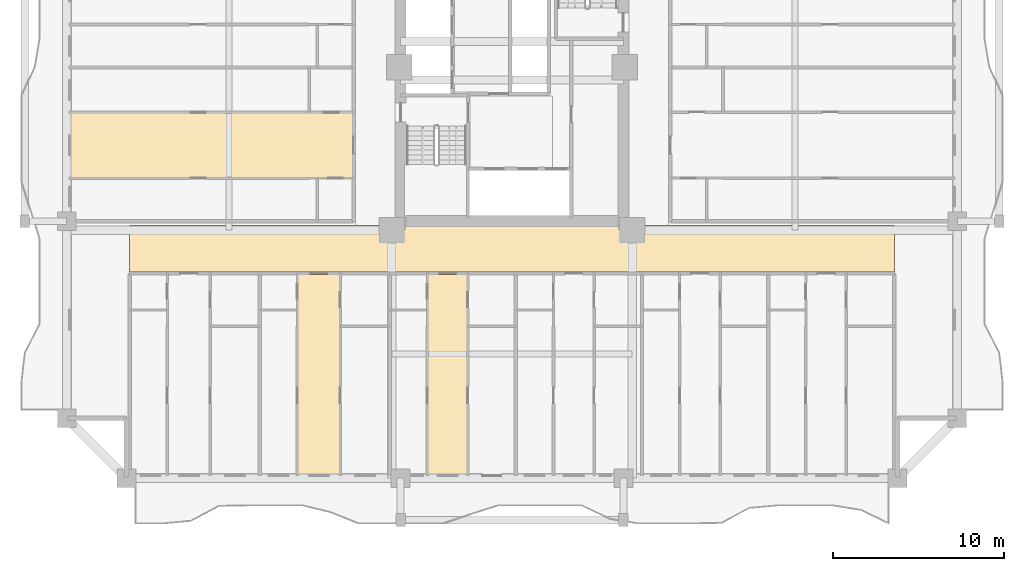
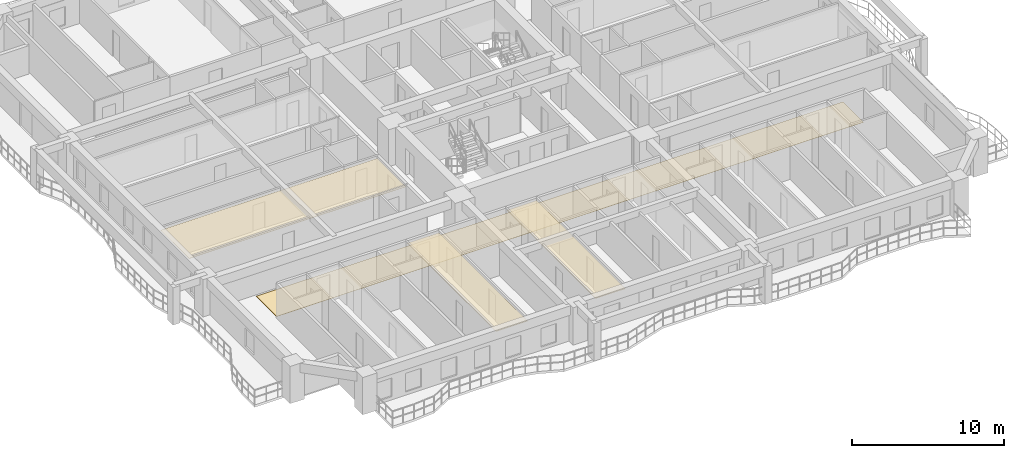
# One storey, part 13 of 17: 4 coverings.
"""IFC4 building model written with IfcOpenShell, lengths in metres."""

import ifcopenshell
import ifcopenshell.guid

model = None  # the IFC model being written
_history = None  # IfcOwnerHistory: only IFC2X3 demands one
_inside = {}  # id of a spatial element -> (the spatial element, [elements in it])
_under = {}  # id of a project, library or spatial element -> (it, [spatial elements below it])
_declared = {}  # id of a project -> (the project, [libraries it declares])
_typed = {}  # id of a type object -> (the type object, [elements of that type])
_made_of = {}  # id of a material, layer set ... -> (it, [elements and type objects made of it])


def new_model(schema):
    """Start an empty IFC model of exactly this schema.

    Asked for "IFC4X3", IfcOpenShell would pick the latest addendum, in which some entities
    have other attributes; the version numbers below select the first issue.
    IFC2X3 requires an IfcOwnerHistory on every rooted entity: one is made here for all.
    """
    global model, _history
    if schema == "IFC4X3":
        model = ifcopenshell.file(schema_version=(4, 3, 0, 0))
    else:
        model = ifcopenshell.file(schema=schema)
    _inside.clear()
    _under.clear()
    _declared.clear()
    _typed.clear()
    _made_of.clear()
    _history = None
    if model.schema == "IFC2X3":
        org = make("IfcOrganization", Name="unknown")
        user = make(
            "IfcPersonAndOrganization",
            ThePerson=make("IfcPerson", FamilyName="unknown"),
            TheOrganization=org,
        )
        app = make(
            "IfcApplication",
            ApplicationDeveloper=org,
            Version="unknown",
            ApplicationFullName="unknown",
            ApplicationIdentifier="unknown",
        )
        _history = make(
            "IfcOwnerHistory",
            OwningUser=user,
            OwningApplication=app,
            ChangeAction="ADDED",
            CreationDate=0,
        )
    return model


def make(cls, **values):
    """One entity of the class cls with the attributes given. An attribute that is None is left unset."""
    return model.create_entity(
        cls, **{name: value for name, value in values.items() if value is not None}
    )


def rooted(cls, **values):
    """An entity with a GlobalId (a new one), such as an element, a storey or a relation."""
    return make(cls, GlobalId=ifcopenshell.guid.new(), OwnerHistory=_history, **values)


def si_unit(unit_type, name, prefix=None):
    """IfcSIUnit, for example si_unit("LENGTHUNIT", "METRE", prefix="MILLI")."""
    return make("IfcSIUnit", UnitType=unit_type, Prefix=prefix, Name=name)


def assignment(units):
    """IfcUnitAssignment: the units of a project."""
    return None if units is None else make("IfcUnitAssignment", Units=units)


def point(xyz):
    """IfcCartesianPoint."""
    return None if xyz is None else make("IfcCartesianPoint", Coordinates=xyz)


def direction(xyz):
    """IfcDirection."""
    return None if xyz is None else make("IfcDirection", DirectionRatios=xyz)


def frame(location, z_axis=None, x_axis=None):
    """IfcAxis2Placement3D, a coordinate frame: its origin and axes. An axis left out is left unset."""
    return make(
        "IfcAxis2Placement3D",
        Location=point(location),
        Axis=direction(z_axis),
        RefDirection=direction(x_axis),
    )


def origin():
    """The frame at (0, 0, 0) with its axes left unset."""
    return frame((0.0, 0.0, 0.0))


def place(relative_to, where):
    """IfcLocalPlacement: puts the frame where relative to a parent placement (None: the world)."""
    return make(
        "IfcLocalPlacement", PlacementRelTo=relative_to, RelativePlacement=where
    )


def context(
    kind, dimensions, precision=None, world=None, true_north=None, identifier=None
):
    """IfcGeometricRepresentationContext, for example the 3D "Model" context."""
    return make(
        "IfcGeometricRepresentationContext",
        ContextIdentifier=identifier,
        ContextType=kind,
        CoordinateSpaceDimension=dimensions,
        Precision=precision,
        WorldCoordinateSystem=world,
        TrueNorth=true_north,
    )


def subcontext(parent, identifier, kind, view, scale=None):
    """IfcGeometricRepresentationSubContext, for example "Body" below "Model"."""
    return make(
        "IfcGeometricRepresentationSubContext",
        ContextIdentifier=identifier,
        ContextType=kind,
        ParentContext=parent,
        TargetScale=scale,
        TargetView=view,
    )


def project(units=None, contexts=None):
    """IfcProject with its units and contexts."""
    return rooted(
        "IfcProject",
        Name="project",
        RepresentationContexts=contexts,
        UnitsInContext=assignment(units),
    )


def spatial(cls, under=None, at=None, **own):
    """A site, building, storey or space (cls), placed at a placement, below another one or the project."""
    s = rooted(cls, ObjectPlacement=at, **own)
    if under is not None:
        _under.setdefault(under.id(), (under, []))[1].append(s)
    return s


def polyline(points):
    """IfcPolyline through the points."""
    return make("IfcPolyline", Points=[point(p) for p in points])


def outline(outer, holes=None, kind="AREA"):
    """IfcArbitraryClosedProfileDef: a profile drawn as a closed curve; with holes, ...WithVoids."""
    if holes is None:
        return make("IfcArbitraryClosedProfileDef", ProfileType=kind, OuterCurve=outer)
    return make(
        "IfcArbitraryProfileDefWithVoids",
        ProfileType=kind,
        OuterCurve=outer,
        InnerCurves=holes,
    )


def extrude(swept, where, along, depth):
    """IfcExtrudedAreaSolid: the profile swept, set in the frame where, extruded along a direction by depth."""
    return make(
        "IfcExtrudedAreaSolid",
        SweptArea=swept,
        Position=where,
        ExtrudedDirection=direction(along),
        Depth=depth,
    )


def shape(context_of_items, identifier, shape_type, items):
    """IfcShapeRepresentation: the items that make up one representation, for example the "Body"."""
    return make(
        "IfcShapeRepresentation",
        ContextOfItems=context_of_items,
        RepresentationIdentifier=identifier,
        RepresentationType=shape_type,
        Items=items,
    )


def material(Name=None, Category=None):
    """IfcMaterial."""
    return make("IfcMaterial", Name=Name, Category=Category)


def layer(
    of_material, thickness, ventilated=None, Name=None, Category=None, Priority=None
):
    """IfcMaterialLayer: one layer of a wall or slab, of a material (None: an air gap)."""
    return make(
        "IfcMaterialLayer",
        Material=of_material,
        LayerThickness=thickness,
        IsVentilated=ventilated,
        Name=Name,
        Category=Category,
        Priority=Priority,
    )


def layer_set(layers, Name=None):
    """IfcMaterialLayerSet."""
    return make("IfcMaterialLayerSet", MaterialLayers=layers, LayerSetName=Name)


def made_of(thing, what):
    """Note that an element or type object is made of a material, layer set ...; save() writes the relation."""
    if what is not None:
        _made_of.setdefault(what.id(), (what, []))[1].append(thing)
    return thing


def type_object(cls, material=None, **own):
    """A type object (cls), such as IfcWallType, which elements share."""
    return made_of(rooted(cls, **own), material)


def element(
    cls,
    number,
    at=None,
    inside=None,
    cuts=None,
    type_object=None,
    material=None,
    context=None,
    identifier="Body",
    shape_type=None,
    held_by="IfcProductDefinitionShape",
    body=None,
    shapes=None,
    **own,
):
    """One element of the class cls, such as IfcWall. Its Tag is "e" and its number.

    at: its placement. inside: the storey or other place that contains it. cuts: it is an
    opening in that element (IfcRelVoidsElement). A single representation is given by context,
    identifier, shape_type and body (its items); several are given by shapes. held_by: the class
    of the entity that holds the representations. save() writes the other relations.
    """
    e = rooted(cls, Tag="e%d" % number, ObjectPlacement=at, **own)
    if body is not None:
        shapes = [shape(context, identifier, shape_type, body)]
    if shapes is not None:
        e.Representation = make(held_by, Representations=shapes)
    if inside is not None:
        _inside.setdefault(inside.id(), (inside, []))[1].append(e)
    if cuts is not None:
        rooted(
            "IfcRelVoidsElement", RelatingBuildingElement=cuts, RelatedOpeningElement=e
        )
    if type_object is not None:
        _typed.setdefault(type_object.id(), (type_object, []))[1].append(e)
    return made_of(e, material)


def aggregate(whole, parts):
    """IfcRelAggregates: a whole, such as a stair, and the parts it consists of."""
    return rooted("IfcRelAggregates", RelatingObject=whole, RelatedObjects=parts)


def save(model, path):
    """Write the relations noted so far, then the file.

    IfcRelAggregates (storeys below a building ...), IfcRelContainedInSpatialStructure (elements
    in a storey), IfcRelDefinesByType, IfcRelAssociatesMaterial and IfcRelDeclares: one each for
    every whole, place, type object, material and project.
    """
    for whole, parts in _under.values():
        aggregate(whole, parts)
    for where, things in _inside.values():
        rooted(
            "IfcRelContainedInSpatialStructure",
            RelatedElements=things,
            RelatingStructure=where,
        )
    for kind, things in _typed.values():
        rooted("IfcRelDefinesByType", RelatedObjects=things, RelatingType=kind)
    for what, things in _made_of.values():
        rooted("IfcRelAssociatesMaterial", RelatedObjects=things, RelatingMaterial=what)
    for by, libraries in _declared.values():
        rooted("IfcRelDeclares", RelatingContext=by, RelatedDefinitions=libraries)
    model.write(path)


model = new_model("IFC4")

# Units and contexts
model_context = context("Model", 3, precision=1e-05, world=origin(), true_north=direction((0.0, 1.0)))
body_context = subcontext(model_context, "Body", "Model", "MODEL_VIEW")
ifc_project = project(units=[si_unit("LENGTHUNIT", "METRE"), si_unit("AREAUNIT", "SQUARE_METRE"), si_unit("VOLUMEUNIT", "CUBIC_METRE"), si_unit("PLANEANGLEUNIT", "RADIAN"), si_unit("MASSUNIT", "GRAM", prefix="KILO")], contexts=[model_context])

# Site, building, storey
site_placement = place(None, origin())
site = spatial("IfcSite", under=ifc_project, at=site_placement, CompositionType="ELEMENT")
building_placement = place(site_placement, origin())
building = spatial("IfcBuilding", under=site, at=building_placement, Name="Saelheon Loggia Tower", CompositionType="ELEMENT")
storey_placement = place(building_placement, frame((0.0, 0.0, 22.39990234375)))
storey = spatial("IfcBuildingStorey", under=building, at=storey_placement, Name="L06", CompositionType="ELEMENT", Elevation=22.39990234375)

# Coverings
ifc_material_1 = material(Name="Mineral-Fibre Acoustic Ceiling Board", Category="gypsum")
ifc_layer_1 = layer(ifc_material_1, 0.02490234375)
ifc_layer_set_1 = layer_set([ifc_layer_1], Name="Mineral-Fibre Acoustic Ceiling Board")
covering_type_1 = type_object("IfcCoveringType", Name="Cov_Ceiling_Acoustic", PredefinedType="CEILING", material=ifc_layer_set_1)
covering_1_placement = place(storey_placement, frame((0.0, 0.0, 2.53515625)))
element("IfcCovering", 1, at=covering_1_placement, inside=storey, type_object=covering_type_1, Name="L06 Acoustic Suspended Ceiling", PredefinedType="CEILING", context=body_context, shape_type="SweptSolid", body=[
    extrude(outline(polyline([(25.518798828125, 3.199951171875), (27.923828125, 3.199951171875), (27.923828125, 14.89990234375), (25.518798828125, 14.89990234375), (25.518798828125, 3.199951171875)])), origin(), (0.0, 0.0, 1.0), 0.02490234375),
])
covering_2_placement = place(storey_placement, frame((0.0, 0.0, 2.53515625)))
element("IfcCovering", 2, at=covering_2_placement, inside=storey, type_object=covering_type_1, Name="L06 Acoustic Suspended Ceiling", PredefinedType="CEILING", context=body_context, shape_type="SweptSolid", body=[
    extrude(outline(polyline([(33.107666015625, 3.199951171875), (35.374267578125, 3.199951171875), (35.374267578125, 14.89990234375), (33.107666015625, 14.89990234375), (33.107666015625, 3.199951171875)])), origin(), (0.0, 0.0, 1.0), 0.02490234375),
])
covering_3_placement = place(storey_placement, frame((0.0, 0.0, 2.53515625)))
element("IfcCovering", 3, at=covering_3_placement, inside=storey, type_object=covering_type_1, Name="L06 Acoustic Suspended Ceiling", PredefinedType="CEILING", context=body_context, shape_type="SweptSolid", body=[
    extrude(outline(polyline([(12.199951171875, 20.56298828125), (28.699951171875, 20.56298828125), (28.699951171875, 24.324951171875), (12.199951171875, 24.324951171875), (12.199951171875, 20.56298828125)])), origin(), (0.0, 0.0, 1.0), 0.02490234375),
])
ifc_material_2 = material(Name="Vitrified Porcelain Floor Tile", Category="ceramic")
ifc_layer_2 = layer(ifc_material_2, 0.02001953125)
ifc_layer_set_2 = layer_set([ifc_layer_2], Name="Vitrified Porcelain Floor Tile")
covering_type_2 = type_object("IfcCoveringType", Name="Cov_Floor_Porcelain", PredefinedType="FLOORING", material=ifc_layer_set_2)
covering_4_placement = place(storey_placement, origin())
element("IfcCovering", 4, at=covering_4_placement, inside=storey, type_object=covering_type_2, Name="L06 Corridor Porcelain Flooring", PredefinedType="FLOORING", context=body_context, shape_type="SweptSolid", body=[
    extrude(outline(polyline([(15.679931640625, 15.050048828125), (60.320068359375, 15.050048828125), (60.320068359375, 17.75), (15.679931640625, 17.75), (15.679931640625, 15.050048828125)])), origin(), (0.0, 0.0, 1.0), 0.02001953125),
])

save(model, "model.ifc")
